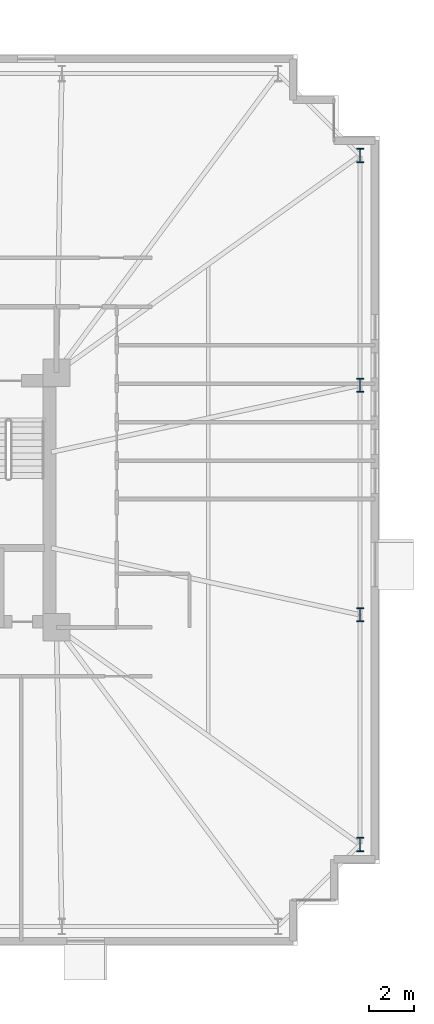
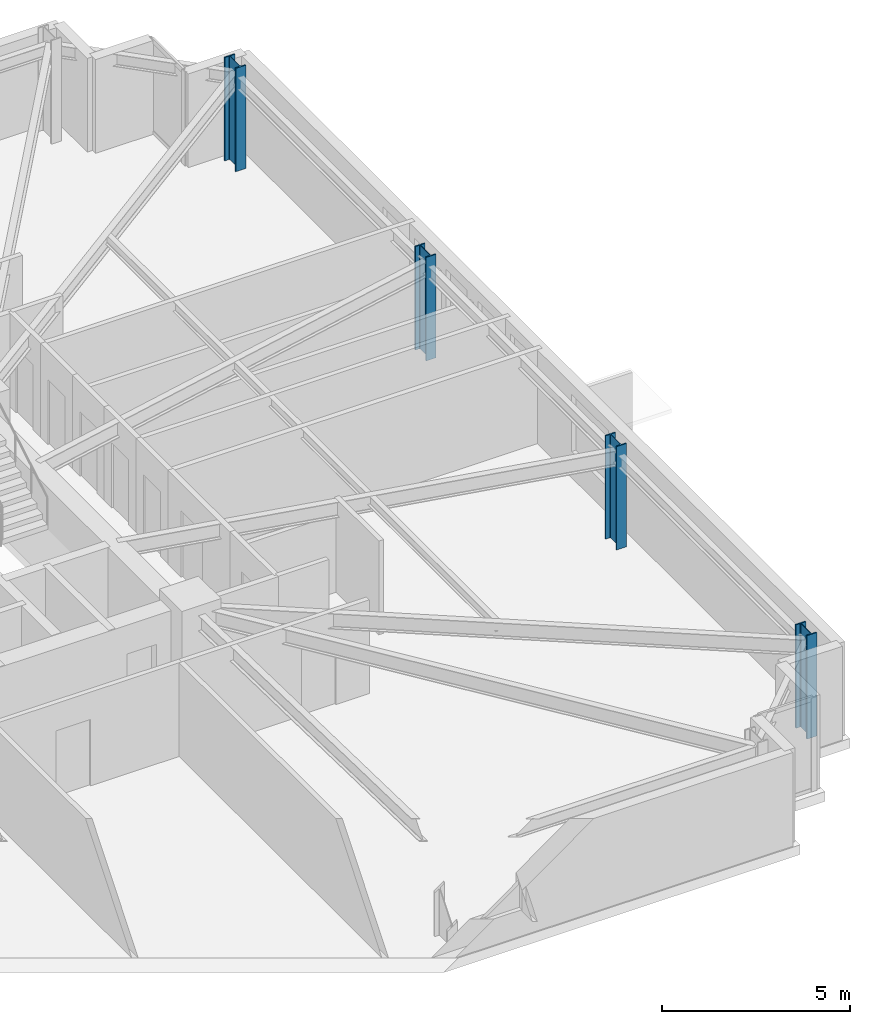
# One storey, part 3 of 24: 4 columns.
"""IFC4 building model written with IfcOpenShell, lengths in metres."""

from ifc_helpers import new_model, si_unit, direction, frame, origin, origin_2d, place, context, subcontext, project, spatial, i_section, extrude, material, material_profile, profile_set, type_object, element, save


model = new_model("IFC4")

# Units and contexts
model_context = context("Model", 3, precision=1e-05, world=origin(), true_north=direction((0.0, 1.0)))
body_context = subcontext(model_context, "Body", "Model", "MODEL_VIEW")
ifc_project = project(units=[si_unit("LENGTHUNIT", "METRE"), si_unit("AREAUNIT", "SQUARE_METRE"), si_unit("VOLUMEUNIT", "CUBIC_METRE"), si_unit("PLANEANGLEUNIT", "RADIAN"), si_unit("MASSUNIT", "GRAM", prefix="KILO")], contexts=[model_context])

# Site, building, storey
site_placement = place(None, origin())
site = spatial("IfcSite", under=ifc_project, at=site_placement, CompositionType="ELEMENT")
building_placement = place(site_placement, origin())
building = spatial("IfcBuilding", under=site, at=building_placement, Name="Qobustan Lattice House", CompositionType="ELEMENT")
storey_placement = place(building_placement, frame((0.0, 0.0, 50.449951171875)))
storey = spatial("IfcBuildingStorey", under=building, at=storey_placement, Name="L13", CompositionType="ELEMENT", Elevation=50.449951171875)

# Columns
ifc_material = material(Name="Steel S460", Category="steel")
ifc_material_profile = material_profile(ifc_material, i_section(OverallWidth=0.304931640625, OverallDepth=0.6201171875, WebThickness=0.02099609375, FlangeThickness=0.0400390625, FilletRadius=0.027099609375, at=origin_2d()), Name="HEM600")
ifc_profile_set = profile_set([ifc_material_profile], Name="Steel S460")
column_type = type_object("IfcColumnType", Name="COL-ST-HEM600", PredefinedType="COLUMN", material=ifc_profile_set)
for number, where, z_axis, x_axis, name in (
    (1, (32.14990234375, -15.14990234375, 0.0), (0.0, 0.0, 1.0), (1.0, 0.0, 0.0), "L13 B1 perimeter column E1"),
    (2, (32.14990234375, -5.050048828125, 0.0), (0.0, 0.0, 1.0), (1.0, 0.0, 0.0), "L13 B1 perimeter column E2"),
    (3, (32.14990234375, 5.050048828125, 0.0), (0.0, 0.0, 1.0), (1.0, 0.0, 0.0), "L13 B1 perimeter column E3"),
    (4, (32.14990234375, 15.14990234375, 0.0), (0.0, 0.0, 1.0), (1.0, 0.0, 0.0), "L13 B1 perimeter column E4"),
):
    element("IfcColumn", number, at=place(storey_placement, frame(where, z_axis=z_axis, x_axis=x_axis)), inside=storey, type_object=column_type, Name=name, PredefinedType="COLUMN", context=body_context, shape_type="SweptSolid", body=[
        extrude(i_section(OverallWidth=0.304931640625, OverallDepth=0.6201171875, WebThickness=0.02099609375, FlangeThickness=0.0400390625, FilletRadius=0.027099609375, at=origin_2d()), origin(), (0.0, 0.0, 1.0), 3.35009765625),
    ])

save(model, "model.ifc")
